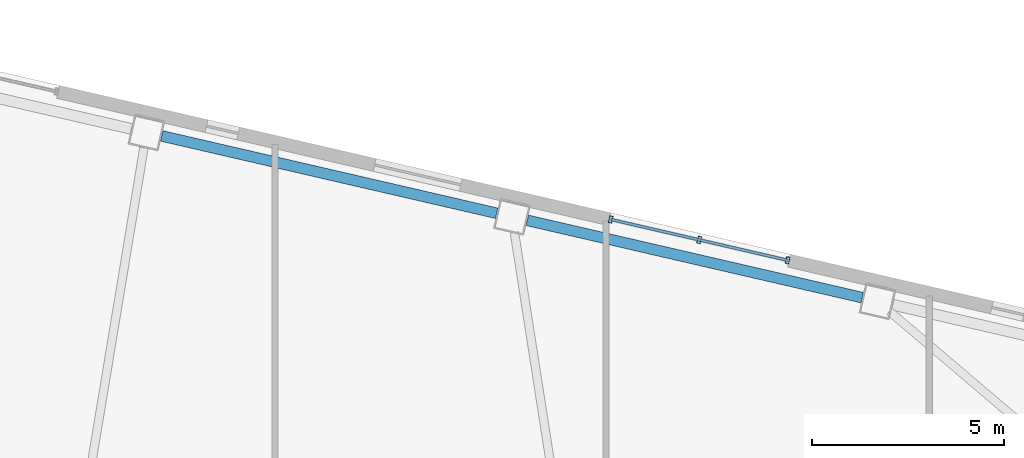
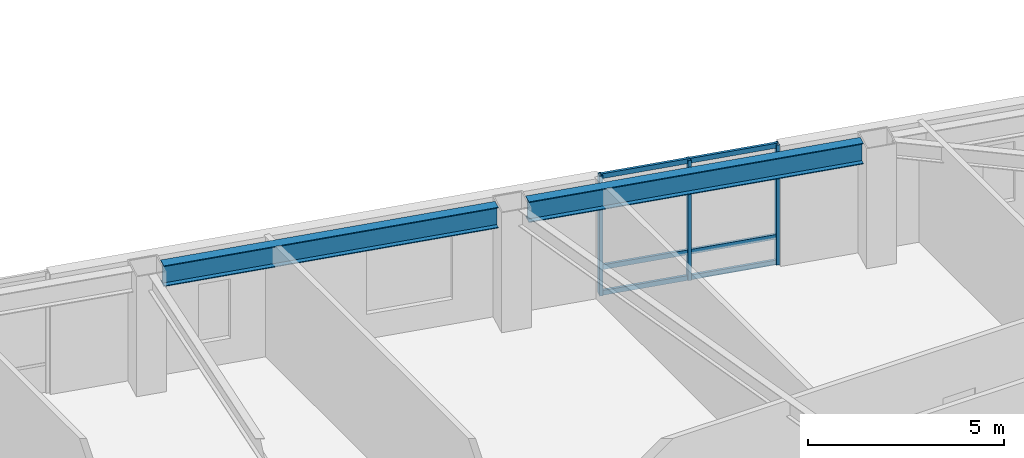
# One storey, part 6 of 18: 6 members, 2 beams, 1 element without a shape of its own.
"""IFC4 building model written with IfcOpenShell, lengths in metres."""

from ifc_helpers import new_model, si_unit, direction, frame, origin, origin_2d, place, context, subcontext, project, spatial, hollow_rectangle, i_section, extrude, material, layer, layer_set, material_profile, profile_set, type_object, element, aggregate, save


model = new_model("IFC4")

# Units and contexts
model_context = context("Model", 3, precision=1e-05, world=origin(), true_north=direction((0.0, 1.0)))
body_context = subcontext(model_context, "Body", "Model", "MODEL_VIEW")
ifc_project = project(units=[si_unit("LENGTHUNIT", "METRE"), si_unit("AREAUNIT", "SQUARE_METRE"), si_unit("VOLUMEUNIT", "CUBIC_METRE"), si_unit("PLANEANGLEUNIT", "RADIAN"), si_unit("MASSUNIT", "GRAM", prefix="KILO")], contexts=[model_context])

# Site, building, storey
site_placement = place(None, origin())
site = spatial("IfcSite", under=ifc_project, at=site_placement, CompositionType="ELEMENT")
building_placement = place(site_placement, origin())
building = spatial("IfcBuilding", under=site, at=building_placement, Name="Tavrogorsk Clinical Tower", CompositionType="ELEMENT")
storey_placement = place(building_placement, frame((0.0, 0.0, 51.39990234375)))
storey = spatial("IfcBuildingStorey", under=building, at=storey_placement, Name="L10", CompositionType="ELEMENT", Elevation=51.39990234375)

# Curtain wall, members
ifc_material_1 = material(Name="Anodised aluminium and triple IGU glazing", Category="aluminium")
ifc_layer = layer(ifc_material_1, 0.179931640625)
ifc_layer_set = layer_set([ifc_layer], Name="Anodised aluminium and triple IGU glazing")
curtain_wall_type = type_object("IfcCurtainWallType", Name="CW2_NorthSlot", PredefinedType="NOTDEFINED", material=ifc_layer_set)
curtain_wall_placement = place(storey_placement, origin())
curtain_wall = element("IfcCurtainWall", 1, at=curtain_wall_placement, inside=storey, type_object=curtain_wall_type, Name="L10 Curtain Wall CW-L10-N-SLOT-2", PredefinedType="NOTDEFINED")
ifc_material_2 = material(Name="Anodised aluminium alloy AW-6060", Category="aluminium")
ifc_material_profile_1 = material_profile(ifc_material_2, hollow_rectangle(XDim=0.090087890625, YDim=0.179931640625, WallThickness=0.00634765625, at=origin_2d()), Name="RHS-180x90x6.3")
ifc_profile_set_1 = profile_set([ifc_material_profile_1], Name="Anodised aluminium alloy AW-6060")
member_type_1 = type_object("IfcMemberType", Name="CwMullion_180x90", PredefinedType="MULLION", material=ifc_profile_set_1)
member_1_placement = place(storey_placement, frame((15.117919921875, 20.254638671875, 0.0), z_axis=(0.0, 0.0, 1.0), x_axis=(-0.974370046851, 0.224951132027, 0.0)))
member_1 = element("IfcMember", 2, at=member_1_placement, type_object=member_type_1, Name="CW-L10-N-SLOT-2 Mullion 1", PredefinedType="MULLION", context=body_context, shape_type="SweptSolid", body=[
    extrude(hollow_rectangle(XDim=0.090087890625, YDim=0.179931640625, WallThickness=0.00634765625, at=origin_2d()), origin(), (0.0, 0.0, 1.0), 3.739990234375),
])
member_2_placement = place(storey_placement, frame((12.8193359375, 20.78515625, 0.0), z_axis=(0.0, 0.0, 1.0), x_axis=(-0.974370046851, 0.224951132027, 0.0)))
member_2 = element("IfcMember", 3, at=member_2_placement, type_object=member_type_1, Name="CW-L10-N-SLOT-2 Mullion 2", PredefinedType="MULLION", context=body_context, shape_type="SweptSolid", body=[
    extrude(hollow_rectangle(XDim=0.090087890625, YDim=0.179931640625, WallThickness=0.00634765625, at=origin_2d()), origin(), (0.0, 0.0, 1.0), 3.739990234375),
])
member_3_placement = place(storey_placement, frame((10.520751953125, 21.31591796875, 0.0), z_axis=(0.0, 0.0, 1.0), x_axis=(-0.974370046851, 0.224951132027, 0.0)))
member_3 = element("IfcMember", 4, at=member_3_placement, type_object=member_type_1, Name="CW-L10-N-SLOT-2 Mullion 3", PredefinedType="MULLION", context=body_context, shape_type="SweptSolid", body=[
    extrude(hollow_rectangle(XDim=0.090087890625, YDim=0.179931640625, WallThickness=0.00634765625, at=origin_2d()), origin(), (0.0, 0.0, 1.0), 3.739990234375),
])
ifc_material_3 = material(Name="Anodised aluminium alloy AW-6060", Category="aluminium")
ifc_material_profile_2 = material_profile(ifc_material_3, hollow_rectangle(XDim=0.074951171875, YDim=0.14990234375, WallThickness=0.0048828125, at=origin_2d()), Name="RHS-150x75x5")
ifc_profile_set_2 = profile_set([ifc_material_profile_2], Name="Anodised aluminium alloy AW-6060")
member_type_2 = type_object("IfcMemberType", Name="CwTransom_150x75", PredefinedType="USERDEFINED", material=ifc_profile_set_2)
member_4_placement = place(storey_placement, frame((15.117919921875, 20.254638671875, 0.050048828125), z_axis=(-0.974372877948, 0.22493886885, 0.0), x_axis=(-0.22493886885, -0.974372877948, 0.0)))
member_4 = element("IfcMember", 5, at=member_4_placement, type_object=member_type_2, Name="CW-L10-N-SLOT-2 Transom 1", ObjectType="TRANSOM", PredefinedType="USERDEFINED", context=body_context, shape_type="SweptSolid", body=[
    extrude(hollow_rectangle(XDim=0.074951171875, YDim=0.14990234375, WallThickness=0.0048828125, at=origin_2d()), origin(), (0.0, 0.0, 1.0), 4.718017578125),
])
member_5_placement = place(storey_placement, frame((15.117919921875, 20.254638671875, 0.85009765625), z_axis=(-0.974372877948, 0.22493886885, 0.0), x_axis=(-0.22493886885, -0.974372877948, 0.0)))
member_5 = element("IfcMember", 6, at=member_5_placement, type_object=member_type_2, Name="CW-L10-N-SLOT-2 Transom 2", ObjectType="TRANSOM", PredefinedType="USERDEFINED", context=body_context, shape_type="SweptSolid", body=[
    extrude(hollow_rectangle(XDim=0.074951171875, YDim=0.14990234375, WallThickness=0.0048828125, at=origin_2d()), origin(), (0.0, 0.0, 1.0), 4.718017578125),
])
member_6_placement = place(storey_placement, frame((15.117919921875, 20.254638671875, 3.690185546875), z_axis=(-0.974372877948, 0.22493886885, 0.0), x_axis=(-0.22493886885, -0.974372877948, 0.0)))
member_6 = element("IfcMember", 7, at=member_6_placement, type_object=member_type_2, Name="CW-L10-N-SLOT-2 Transom 3", ObjectType="TRANSOM", PredefinedType="USERDEFINED", context=body_context, shape_type="SweptSolid", body=[
    extrude(hollow_rectangle(XDim=0.074951171875, YDim=0.14990234375, WallThickness=0.0048828125, at=origin_2d()), origin(), (0.0, 0.0, 1.0), 4.718017578125),
])
aggregate(curtain_wall, [member_1, member_2, member_3, member_4, member_5, member_6])

# Beams
ifc_material_4 = material(Name="Structural steel S390", Category="steel")
ifc_material_profile_3 = material_profile(ifc_material_4, i_section(OverallWidth=0.280029296875, OverallDepth=0.64990234375, WebThickness=0.01611328125, FlangeThickness=0.02490234375, at=origin_2d()), Name="B-650x280x16x25")
ifc_profile_set_3 = profile_set([ifc_material_profile_3], Name="Structural steel S390")
beam_type = type_object("IfcBeamType", Name="SpandrelBeam_B650", PredefinedType="SPANDREL", material=ifc_profile_set_3)
for number, where, z_axis, x_axis, name in (
    (8, (17.056396484375, 19.28369140625, 3.4150390625), (-0.974372766602, 0.224939351168, 0.0), (-0.224939351168, -0.974372766602, 0.0), "L10 Perimeter Spandrel N3-N4"),
    (9, (7.5576171875, 21.4765625, 3.4150390625), (-0.974366775889, 0.224965299645, 0.0), (-0.224965299645, -0.974366775889, 0.0), "L10 Perimeter Spandrel N4-N5"),
):
    element("IfcBeam", number, at=place(storey_placement, frame(where, z_axis=z_axis, x_axis=x_axis)), inside=storey, type_object=beam_type, Name=name, PredefinedType="SPANDREL", context=body_context, shape_type="SweptSolid", body=[
        extrude(i_section(OverallWidth=0.280029296875, OverallDepth=0.64990234375, WebThickness=0.01611328125, FlangeThickness=0.02490234375, at=origin_2d()), origin(), (0.0, 0.0, 1.0), 8.9326171875),
    ])

save(model, "model.ifc")
